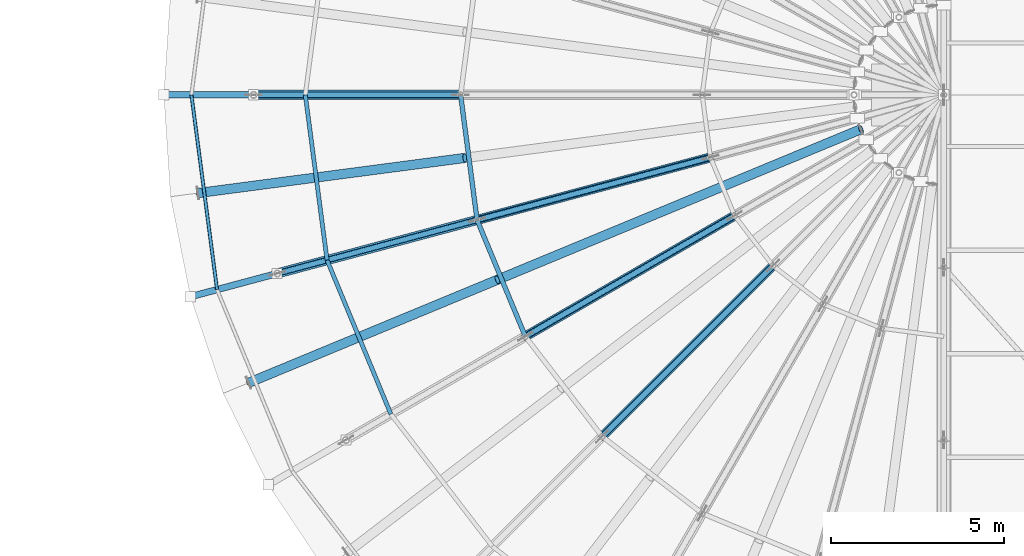
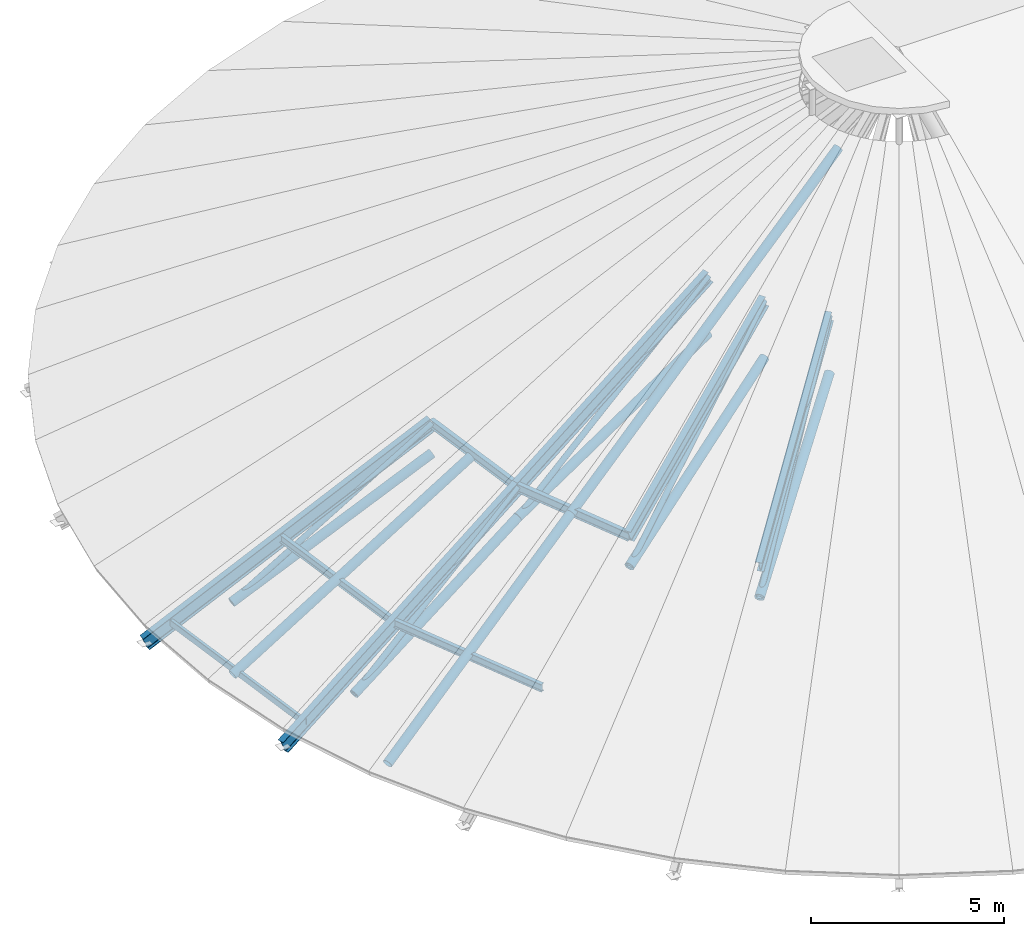
# One storey, part 3 of 107: 23 members.
"""IFC4 building model written with IfcOpenShell, lengths in metres."""

from ifc_helpers import new_model, si_unit, derived_unit, direction, frame, origin, origin_2d, place, context, subcontext, project, spatial, hollow_rectangle, hollow_circle, i_section, extrude, material, material_profile, profile_set, type_object, element, save


model = new_model("IFC4")

# Units and contexts
model_context = context("Model", 3, precision=1e-05, world=origin(), true_north=direction((0.0, 1.0)))
body_context = subcontext(model_context, "Body", "Model", "MODEL_VIEW")
ifc_project = project(units=[si_unit("LENGTHUNIT", "METRE"), si_unit("AREAUNIT", "SQUARE_METRE"), si_unit("VOLUMEUNIT", "CUBIC_METRE"), si_unit("PLANEANGLEUNIT", "RADIAN"), si_unit("MASSUNIT", "GRAM", prefix="KILO"), si_unit("THERMODYNAMICTEMPERATUREUNIT", "KELVIN"), si_unit("TIMEUNIT", "SECOND"), derived_unit("THERMALTRANSMITTANCEUNIT", [(si_unit("MASSUNIT", "GRAM", prefix="KILO"), 1), (si_unit("THERMODYNAMICTEMPERATUREUNIT", "KELVIN"), -1), (si_unit("TIMEUNIT", "SECOND"), -3)])], contexts=[model_context])

# Site, building, storey
site_placement = place(None, origin())
site = spatial("IfcSite", under=ifc_project, at=site_placement, CompositionType="ELEMENT")
building_placement = place(site_placement, origin())
building = spatial("IfcBuilding", under=site, at=building_placement, Name="Cambertide Market Hall", CompositionType="ELEMENT")
storey_placement = place(building_placement, frame((0.0, 0.0, 18.300048828125)))
storey = spatial("IfcBuildingStorey", under=building, at=storey_placement, Name="RF", CompositionType="ELEMENT", Elevation=18.300048828125)

# Members
ifc_material_1 = material(Name="Steel S355", Category="steel")
ifc_material_profile_1 = material_profile(ifc_material_1, hollow_circle(Radius=0.136474609375, WallThickness=0.010009765625, at=origin_2d()), Name="CHS 273x10")
ifc_profile_set_1 = profile_set([ifc_material_profile_1], Name="Steel S355")
member_type_1 = type_object("IfcMemberType", Name="Arched Truss Chord CHS 273x10", PredefinedType="CHORD", material=ifc_profile_set_1)
member_1_placement = place(storey_placement, frame((28.0, 72.0, -7.756103515625), z_axis=(-0.916212086296, 0.0, -0.400693664693), x_axis=(0.0, -1.0, 0.0)))
element("IfcMember", 1, at=member_1_placement, inside=storey, type_object=member_type_1, Name="Half-Cone Radial Arch Chord W-12-3", PredefinedType="CHORD", context=body_context, shape_type="SweptSolid", body=[
    extrude(hollow_circle(Radius=0.136474609375, WallThickness=0.010009765625, at=origin_2d()), origin(), (0.0, 0.0, 1.0), 6.548583984375),
])
member_2_placement = place(storey_placement, frame((35.238525390625, 70.188232421875, -5.381591796875), z_axis=(-0.914729420004, -0.245105868419, -0.321236986422), x_axis=(0.258823832372, -0.965924543531, 0.0)))
element("IfcMember", 2, at=member_2_placement, inside=storey, type_object=member_type_1, Name="Half-Cone Radial Arch Chord W-14-2", PredefinedType="CHORD", context=body_context, shape_type="SweptSolid", body=[
    extrude(hollow_circle(Radius=0.136474609375, WallThickness=0.010009765625, at=origin_2d()), origin(), (0.0, 0.0, 1.0), 7.391845703125),
])
member_3_placement = place(storey_placement, frame((28.47705078125, 68.37646484375, -7.756103515625), z_axis=(-0.885001969521, -0.23710402823, -0.400690895506), x_axis=(0.258786931944, -0.965934430412, 0.0)))
element("IfcMember", 3, at=member_3_placement, inside=storey, type_object=member_type_1, Name="Half-Cone Radial Arch Chord W-14-3", PredefinedType="CHORD", context=body_context, shape_type="SweptSolid", body=[
    extrude(hollow_circle(Radius=0.136474609375, WallThickness=0.010009765625, at=origin_2d()), origin(), (0.0, 0.0, 1.0), 6.548828125),
])
for number, where, z_axis, x_axis, name in (
    (4, (35.937744140625, 68.5, -5.381591796875), (-0.820117658259, -0.473508125204, -0.321243026348), (0.500010275428, -0.866019471182, 0.0), "Half-Cone Radial Arch Chord W-16-2"),
    (5, (37.05029296875, 67.05029296875, -5.381591796875), (-0.669628706701, -0.669628706701, -0.321239459474), (0.707106781187, -0.707106781187, 0.0), "Half-Cone Radial Arch Chord W-18-2"),
):
    element("IfcMember", number, at=place(storey_placement, frame(where, z_axis=z_axis, x_axis=x_axis)), inside=storey, type_object=member_type_1, Name=name, PredefinedType="CHORD", context=body_context, shape_type="SweptSolid", body=[
        extrude(hollow_circle(Radius=0.136474609375, WallThickness=0.010009765625, at=origin_2d()), origin(), (0.0, 0.0, 1.0), 7.3916015625),
    ])
ifc_material_2 = material(Name="Steel S355", Category="steel")
ifc_material_profile_2 = material_profile(ifc_material_2, hollow_circle(Radius=0.136474609375, WallThickness=0.010009765625, at=origin_2d()), Name="CHS 273x10")
ifc_profile_set_2 = profile_set([ifc_material_profile_2], Name="Steel S355")
member_type_2 = type_object("IfcMemberType", Name="Exterior Radial Fan Rafter CHS 273x10", PredefinedType="RAFTER", material=ifc_profile_set_2)
for number, where, z_axis, x_axis, name in (
    (6, (28.119873046875, 70.172607421875, -6.7900390625), (-0.900726282096, -0.118576480501, -0.417889678043), (0.130519284757, -0.991445770734, 0.0), "RAF-W-13-B"),
    (7, (29.065673828125, 66.642333984375, -6.7900390625), (-0.839343821258, -0.347657877112, -0.417894663997), (0.382674302852, -0.923883314027, 0.0), "RAF-W-15-B"),
):
    element("IfcMember", number, at=place(storey_placement, frame(where, z_axis=z_axis, x_axis=x_axis)), inside=storey, type_object=member_type_2, Name=name, PredefinedType="RAFTER", context=body_context, shape_type="SweptSolid", body=[
        extrude(hollow_circle(Radius=0.136474609375, WallThickness=0.010009765625, at=origin_2d()), origin(), (0.0, 0.0, 1.0), 8.585693359375),
    ])
ifc_material_3 = material(Name="Steel S355", Category="steel")
ifc_material_profile_3 = material_profile(ifc_material_3, i_section(OverallWidth=0.18994140625, OverallDepth=0.449951171875, WebThickness=0.009521484375, FlangeThickness=0.0146484375, FilletRadius=0.02099609375, at=origin_2d()), Name="IPE 450")
ifc_profile_set_3 = profile_set([ifc_material_profile_3], Name="Steel S355")
member_type_3 = type_object("IfcMemberType", Name="Exterior Radial Fan Rafter IPE 450", PredefinedType="RAFTER", material=ifc_profile_set_3)
for number, where, z_axis, x_axis, name in (
    (8, (28.0, 72.0, -6.7900390625), (-0.908490061013, 0.0, -0.417906459679), (0.0, -1.0, 0.0), "Half-Cone Radial Truss Rafter W-12-3"),
    (9, (28.47705078125, 68.37646484375, -6.7900390625), (-0.877530692762, -0.235134381364, -0.417913514931), (0.258819806009, -0.965925622404, 0.0), "Half-Cone Radial Truss Rafter W-14-3"),
):
    element("IfcMember", number, at=place(storey_placement, frame(where, z_axis=z_axis, x_axis=x_axis)), inside=storey, type_object=member_type_3, Name=name, PredefinedType="RAFTER", context=body_context, shape_type="SweptSolid", body=[
        extrude(i_section(OverallWidth=0.18994140625, OverallDepth=0.449951171875, WebThickness=0.009521484375, FlangeThickness=0.0146484375, FilletRadius=0.02099609375, at=origin_2d()), origin(), (0.0, 0.0, 1.0), 9.46630859375),
    ])
ifc_material_4 = material(Name="Steel S275", Category="steel")
ifc_material_profile_4 = material_profile(ifc_material_4, hollow_rectangle(XDim=0.10009765625, YDim=0.199951171875, WallThickness=0.00634765625, InnerFilletRadius=0.00634765625, OuterFilletRadius=0.0126953125, at=origin_2d()), Name="RHS 200x100x6.3")
ifc_profile_set_4 = profile_set([ifc_material_profile_4], Name="Steel S275")
member_type_4 = type_object("IfcMemberType", Name="Exterior Roof Purlin RHS 200x100x6.3", PredefinedType="PURLIN", material=ifc_profile_set_4)
member_4_placement = place(storey_placement, frame((20.199951171875, 72.0, -10.3779296875), z_axis=(0.130542179395, -0.991442756491, 0.0), x_axis=(0.991442756491, 0.130542179395, 0.0)))
element("IfcMember", 10, at=member_4_placement, inside=storey, type_object=member_type_4, Name="CPUR-W-218-07", PredefinedType="PURLIN", context=body_context, shape_type="SweptSolid", body=[
    extrude(hollow_rectangle(XDim=0.10009765625, YDim=0.199951171875, WallThickness=0.00634765625, InnerFilletRadius=0.00634765625, OuterFilletRadius=0.0126953125, at=origin_2d()), origin(), (0.0, 0.0, 1.0), 5.69091796875),
])
ifc_material_5 = material(Name="Steel S355", Category="steel")
ifc_material_profile_5 = material_profile(ifc_material_5, hollow_circle(Radius=0.136474609375, WallThickness=0.010009765625, at=origin_2d()), Name="CHS 273x10")
ifc_profile_set_5 = profile_set([ifc_material_profile_5], Name="Steel S355")
member_type_5 = type_object("IfcMemberType", Name="Radial Fan Rafter CHS 273x10", PredefinedType="RAFTER", material=ifc_profile_set_5)
member_5_placement = place(storey_placement, frame((39.597900390625, 71.005126953125, -1.546142578125), z_axis=(-0.839333931883, -0.347679586527, -0.417896465529), x_axis=(0.382698547937, -0.923873271292, 0.0)))
element("IfcMember", 11, at=member_5_placement, inside=storey, type_object=member_type_5, Name="RAF-W-15-A", PredefinedType="RAFTER", context=body_context, shape_type="SweptSolid", body=[
    extrude(hollow_circle(Radius=0.136474609375, WallThickness=0.010009765625, at=origin_2d()), origin(), (0.0, 0.0, 1.0), 12.54833984375),
])
ifc_material_6 = material(Name="Steel S355", Category="steel")
ifc_material_profile_6 = material_profile(ifc_material_6, i_section(OverallWidth=0.18994140625, OverallDepth=0.449951171875, WebThickness=0.009521484375, FlangeThickness=0.0146484375, FilletRadius=0.02099609375, at=origin_2d()), Name="IPE 450")
ifc_profile_set_6 = profile_set([ifc_material_profile_6], Name="Steel S355")
member_type_6 = type_object("IfcMemberType", Name="Radial Fan Rafter IPE 450", PredefinedType="RAFTER", material=ifc_profile_set_6)
member_6_placement = place(storey_placement, frame((35.238525390625, 70.188232421875, -3.570068359375), z_axis=(-0.877534683767, -0.235139371303, -0.417902326925), x_axis=(0.258823832372, -0.965924543531, 0.0)))
element("IfcMember", 12, at=member_6_placement, inside=storey, type_object=member_type_6, Name="Half-Cone Radial Truss Rafter W-14-2", PredefinedType="RAFTER", context=body_context, shape_type="SweptSolid", body=[
    extrude(i_section(OverallWidth=0.18994140625, OverallDepth=0.449951171875, WebThickness=0.009521484375, FlangeThickness=0.0146484375, FilletRadius=0.02099609375, at=origin_2d()), origin(), (0.0, 0.0, 1.0), 7.705078125),
])
member_7_placement = place(storey_placement, frame((35.937744140625, 68.5, -3.570068359375), z_axis=(-0.786768847794, -0.454253652919, -0.417909558339), x_axis=(0.500010275428, -0.866019471182, 0.0)))
element("IfcMember", 13, at=member_7_placement, inside=storey, type_object=member_type_6, Name="Half-Cone Radial Truss Rafter W-16-2", PredefinedType="RAFTER", context=body_context, shape_type="SweptSolid", body=[
    extrude(i_section(OverallWidth=0.18994140625, OverallDepth=0.449951171875, WebThickness=0.009521484375, FlangeThickness=0.0146484375, FilletRadius=0.02099609375, at=origin_2d()), origin(), (0.0, 0.0, 1.0), 7.704833984375),
])
member_8_placement = place(storey_placement, frame((37.05029296875, 67.05029296875, -3.570068359375), z_axis=(-0.642399863947, -0.642399863947, -0.417905287837), x_axis=(0.707106781187, -0.707106781187, 0.0)))
element("IfcMember", 14, at=member_8_placement, inside=storey, type_object=member_type_6, Name="Half-Cone Radial Truss Rafter W-18-2", PredefinedType="RAFTER", context=body_context, shape_type="SweptSolid", body=[
    extrude(i_section(OverallWidth=0.18994140625, OverallDepth=0.449951171875, WebThickness=0.009521484375, FlangeThickness=0.0146484375, FilletRadius=0.02099609375, at=origin_2d()), origin(), (0.0, 0.0, 1.0), 7.705078125),
])
ifc_material_7 = material(Name="Steel S275", Category="steel")
ifc_material_profile_7 = material_profile(ifc_material_7, i_section(OverallWidth=0.1201171875, OverallDepth=0.239990234375, WebThickness=0.006103515625, FlangeThickness=0.009765625, FilletRadius=0.014892578125, at=origin_2d()), Name="IPE 240")
ifc_profile_set_7 = profile_set([ifc_material_profile_7], Name="Steel S275")
member_type_7 = type_object("IfcMemberType", Name="Roof Purlin IPE 240", PredefinedType="PURLIN", material=ifc_profile_set_7)
member_9_placement = place(storey_placement, frame((23.5, 72.0, -8.860107421875), z_axis=(0.130527743461, -0.991444657148, 0.0), x_axis=(0.991444657148, 0.130527743461, 0.0)))
element("IfcMember", 15, at=member_9_placement, inside=storey, type_object=member_type_7, Name="CPUR-W-185-07", PredefinedType="PURLIN", context=body_context, shape_type="SweptSolid", body=[
    extrude(i_section(OverallWidth=0.1201171875, OverallDepth=0.239990234375, WebThickness=0.006103515625, FlangeThickness=0.009765625, FilletRadius=0.014892578125, at=origin_2d()), origin(), (0.0, 0.0, 1.0), 4.829345703125),
])
member_10_placement = place(storey_placement, frame((24.13037109375, 67.2119140625, -8.860107421875), z_axis=(0.382676223699, -0.923882518405, 0.0), x_axis=(0.923882518405, 0.382676223699, 0.0)))
element("IfcMember", 16, at=member_10_placement, inside=storey, type_object=member_type_7, Name="CPUR-W-185-08", PredefinedType="PURLIN", context=body_context, shape_type="SweptSolid", body=[
    extrude(i_section(OverallWidth=0.1201171875, OverallDepth=0.239990234375, WebThickness=0.006103515625, FlangeThickness=0.009765625, FilletRadius=0.014892578125, at=origin_2d()), origin(), (0.0, 0.0, 1.0), 4.82958984375),
])
ifc_material_8 = material(Name="Steel S275", Category="steel")
ifc_material_profile_8 = material_profile(ifc_material_8, i_section(OverallWidth=0.135009765625, OverallDepth=0.27001953125, WebThickness=0.006591796875, FlangeThickness=0.01025390625, FilletRadius=0.014892578125, at=origin_2d()), Name="IPE 270")
ifc_profile_set_8 = profile_set([ifc_material_profile_8], Name="Steel S275")
member_type_8 = type_object("IfcMemberType", Name="Roof Purlin IPE 270", PredefinedType="PURLIN", material=ifc_profile_set_8)
for number, where, z_axis, x_axis, name in (
    (17, (28.0, 72.0, -6.7900390625), (0.130527087244, -0.991444743541, 0.0), (0.991444743541, 0.130527087244, 0.0), "CPUR-W-140-07"),
    (18, (28.47705078125, 68.37646484375, -6.7900390625), (0.382707746954, -0.923869460704, 0.0), (0.923869460704, 0.382707746954, 0.0), "CPUR-W-140-08"),
):
    element("IfcMember", number, at=place(storey_placement, frame(where, z_axis=z_axis, x_axis=x_axis)), inside=storey, type_object=member_type_8, Name=name, PredefinedType="PURLIN", context=body_context, shape_type="SweptSolid", body=[
        extrude(i_section(OverallWidth=0.135009765625, OverallDepth=0.27001953125, WebThickness=0.006591796875, FlangeThickness=0.01025390625, FilletRadius=0.014892578125, at=origin_2d()), origin(), (0.0, 0.0, 1.0), 3.65478515625),
    ])
ifc_material_9 = material(Name="Steel S355", Category="steel")
ifc_material_profile_9 = material_profile(ifc_material_9, hollow_circle(Radius=0.084228515625, WallThickness=0.00634765625, at=origin_2d()), Name="CHS 168.3x6.3")
ifc_profile_set_9 = profile_set([ifc_material_profile_9], Name="Steel S355")
member_type_9 = type_object("IfcMemberType", Name="Structural Brace CHS 168.3x6.3", PredefinedType="BRACE", material=ifc_profile_set_9)
member_11_placement = place(storey_placement, frame((22.0, 72.0, -10.380126953125), z_axis=(0.858117715439, 0.0, 0.513453003155), x_axis=(0.0, 1.0, 0.0)))
element("IfcMember", 19, at=member_11_placement, inside=storey, type_object=member_type_9, Name="RWB-W-12-D3", PredefinedType="BRACE", context=body_context, shape_type="SweptSolid", body=[
    extrude(hollow_circle(Radius=0.084228515625, WallThickness=0.00634765625, at=origin_2d()), origin(), (0.0, 0.0, 1.0), 6.991943359375),
])
member_12_placement = place(storey_placement, frame((28.47705078125, 68.37646484375, -7.756103515625), z_axis=(0.829002296418, 0.222134899502, 0.513236085011), x_axis=(-0.258823832372, 0.965924543531, 0.0)))
element("IfcMember", 20, at=member_12_placement, inside=storey, type_object=member_type_9, Name="RWB-W-14-D2", PredefinedType="BRACE", context=body_context, shape_type="SweptSolid", body=[
    extrude(hollow_circle(Radius=0.084228515625, WallThickness=0.00634765625, at=origin_2d()), origin(), (0.0, 0.0, 1.0), 8.15625),
])
member_13_placement = place(storey_placement, frame((22.681396484375, 66.82373046875, -10.380126953125), z_axis=(0.828887245737, 0.222070132815, 0.513449890415), x_axis=(-0.258786931944, 0.965934430412, 0.0)))
element("IfcMember", 21, at=member_13_placement, inside=storey, type_object=member_type_9, Name="RWB-W-14-D3", PredefinedType="BRACE", context=body_context, shape_type="SweptSolid", body=[
    extrude(hollow_circle(Radius=0.084228515625, WallThickness=0.00634765625, at=origin_2d()), origin(), (0.0, 0.0, 1.0), 6.9921875),
])
for number, where, z_axis, x_axis, name in (
    (22, (29.875732421875, 65.0, -7.756103515625), (0.743254916034, 0.429130184304, 0.513244010887), (-0.500010275428, 0.866019471182, 0.0), "RWB-W-16-D2"),
    (23, (32.1005859375, 62.1005859375, -7.756103515625), (0.606871234224, 0.606871234224, 0.513239330276), (-0.707106781187, 0.707106781187, 0.0), "RWB-W-18-D2"),
):
    element("IfcMember", number, at=place(storey_placement, frame(where, z_axis=z_axis, x_axis=x_axis)), inside=storey, type_object=member_type_9, Name=name, PredefinedType="BRACE", context=body_context, shape_type="SweptSolid", body=[
        extrude(hollow_circle(Radius=0.084228515625, WallThickness=0.00634765625, at=origin_2d()), origin(), (0.0, 0.0, 1.0), 8.156005859375),
    ])

save(model, "model.ifc")
